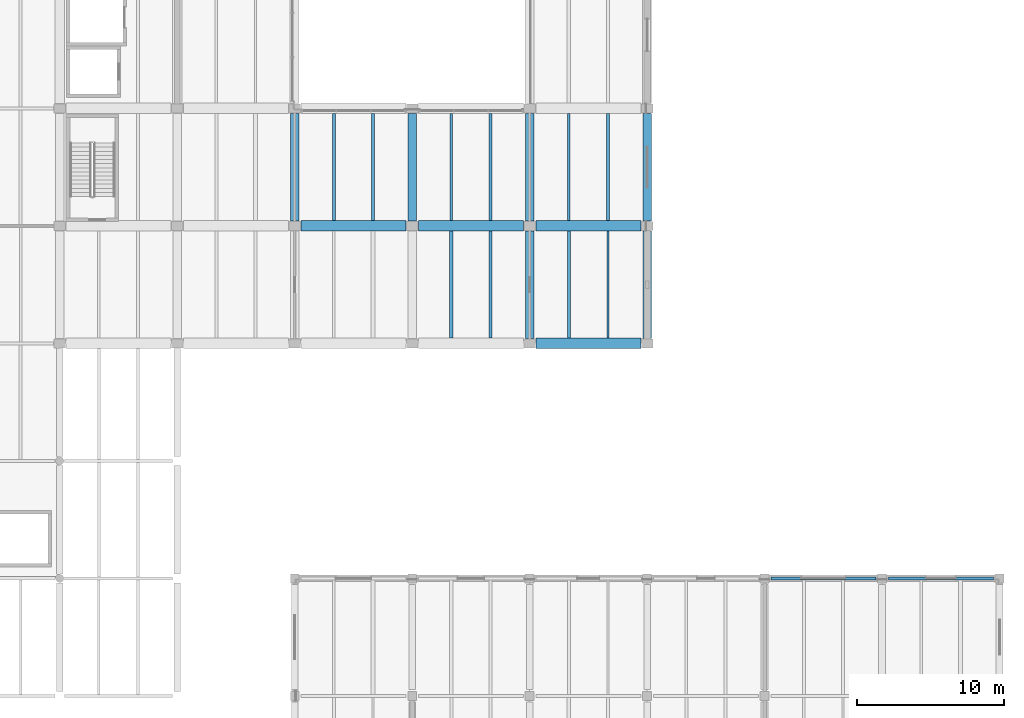
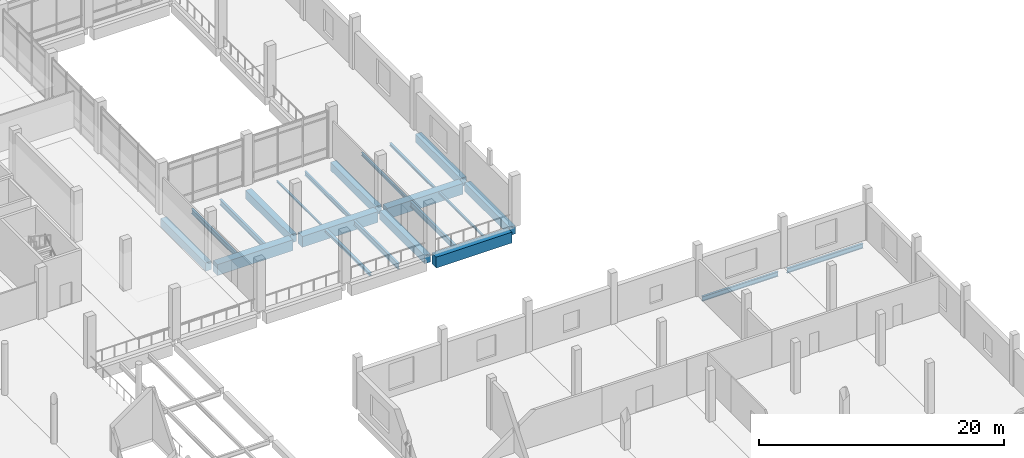
# One storey, part 22 of 61: 22 beams.
"""IFC4 building model written with IfcOpenShell, lengths in metres."""

from ifc_helpers import new_model, si_unit, direction, frame, origin, origin_2d, place, context, subcontext, project, spatial, rectangle, i_section, extrude, material, material_profile, profile_set, type_object, element, save


model = new_model("IFC4")

# Units and contexts
model_context = context("Model", 3, precision=1e-05, world=origin(), true_north=direction((0.0, 1.0)))
body_context = subcontext(model_context, "Body", "Model", "MODEL_VIEW")
ifc_project = project(units=[si_unit("LENGTHUNIT", "METRE"), si_unit("AREAUNIT", "SQUARE_METRE"), si_unit("VOLUMEUNIT", "CUBIC_METRE"), si_unit("PLANEANGLEUNIT", "RADIAN"), si_unit("MASSUNIT", "GRAM", prefix="KILO")], contexts=[model_context])

# Site, building, storey
site_placement = place(None, origin())
site = spatial("IfcSite", under=ifc_project, at=site_placement, CompositionType="ELEMENT")
building_placement = place(site_placement, origin())
building = spatial("IfcBuilding", under=site, at=building_placement, Name="Pecanmere Concourse Central Library", CompositionType="ELEMENT")
storey_placement = place(building_placement, frame((0.0, 0.0, 5.39990234375)))
storey = spatial("IfcBuildingStorey", under=building, at=storey_placement, Name="L02", CompositionType="ELEMENT", Elevation=5.39990234375)

# Beams
ifc_material_1 = material(Name="Concrete C40/50", Category="concrete")
ifc_material_profile_1 = material_profile(ifc_material_1, rectangle(XDim=0.56005859375, YDim=0.830078125, at=origin_2d()), Name="RC 560x830")
ifc_profile_set_1 = profile_set([ifc_material_profile_1], Name="Concrete C40/50")
beam_type_1 = type_object("IfcBeamType", Name="GRD_560x830", PredefinedType="USERDEFINED", material=ifc_profile_set_1)
for number, where, z_axis, x_axis, name in (
    (1, (128.0, 56.330078125, -0.784912109375), (0.0, 1.0, 0.0), (-1.0, 0.0, 0.0), "Primary Girder Y L02-1111"),
    (2, (136.0, 56.330078125, -0.784912109375), (0.0, 1.0, 0.0), (-1.0, 0.0, 0.0), "Primary Girder Y L02-1122"),
    (3, (144.0, 48.330078125, -0.784912109375), (0.0, 1.0, 0.0), (-1.0, 0.0, 0.0), "Primary Girder Y L02-1129"),
    (4, (144.0, 56.330078125, -0.784912109375), (0.0, 1.0, 0.0), (-1.0, 0.0, 0.0), "Primary Girder Y L02-1130"),
    (5, (152.0, 48.330078125, -0.784912109375), (0.0, 1.0, 0.0), (-1.0, 0.0, 0.0), "Primary Girder Y L02-1140"),
    (6, (152.0, 56.330078125, -0.784912109375), (0.0, 1.0, 0.0), (-1.0, 0.0, 0.0), "Primary Girder Y L02-1141"),
):
    element("IfcBeam", number, at=place(storey_placement, frame(where, z_axis=z_axis, x_axis=x_axis)), inside=storey, type_object=beam_type_1, Name=name, ObjectType="GIRDER", PredefinedType="USERDEFINED", context=body_context, shape_type="SweptSolid", body=[
        extrude(rectangle(XDim=0.56005859375, YDim=0.830078125, at=origin_2d()), origin(), (0.0, 0.0, 1.0), 7.33984375),
    ])
ifc_material_2 = material(Name="Concrete C40/50", Category="concrete")
ifc_material_profile_2 = material_profile(ifc_material_2, rectangle(XDim=0.719970703125, YDim=1.080078125, at=origin_2d()), Name="RC 720x1080")
ifc_profile_set_2 = profile_set([ifc_material_profile_2], Name="Concrete C40/50")
beam_type_2 = type_object("IfcBeamType", Name="GRD_720x1080", PredefinedType="USERDEFINED", material=ifc_profile_set_2)
for number, where, z_axis, x_axis, name in (
    (7, (144.429931640625, 48.0, -0.909912109375), (1.0, 0.0, 0.0), (0.0, 1.0, 0.0), "Primary Girder X L02-0852"),
    (8, (128.429931640625, 56.0, -0.909912109375), (1.0, 0.0, 0.0), (0.0, 1.0, 0.0), "Primary Girder X L02-0866"),
    (9, (136.429931640625, 56.0, -0.909912109375), (1.0, 0.0, 0.0), (0.0, 1.0, 0.0), "Primary Girder X L02-0867"),
    (10, (144.429931640625, 56.0, -0.909912109375), (1.0, 0.0, 0.0), (0.0, 1.0, 0.0), "Primary Girder X L02-0868"),
):
    element("IfcBeam", number, at=place(storey_placement, frame(where, z_axis=z_axis, x_axis=x_axis)), inside=storey, type_object=beam_type_2, Name=name, ObjectType="GIRDER", PredefinedType="USERDEFINED", context=body_context, shape_type="SweptSolid", body=[
        extrude(rectangle(XDim=0.719970703125, YDim=1.080078125, at=origin_2d()), origin(), (0.0, 0.0, 1.0), 7.14013671875),
    ])
ifc_material_3 = material(Name="Structural steel ASTM A992 Grade 50", Category="steel")
ifc_material_profile_3 = material_profile(ifc_material_3, i_section(OverallWidth=0.152099609375, OverallDepth=0.152099609375, WebThickness=0.005859375, FlangeThickness=0.006591796875, at=origin_2d()), Name="W150x22.5")
ifc_profile_set_3 = profile_set([ifc_material_profile_3], Name="Structural steel ASTM A992 Grade 50")
beam_type_3 = type_object("IfcBeamType", Name="SBM_W150x22", PredefinedType="LINTEL", material=ifc_profile_set_3)
beam_1_placement = place(storey_placement, frame((138.666748046875, 56.360107421875, -0.44580078125), z_axis=(0.0, 1.0, 0.0), x_axis=(-1.0, 0.0, 0.0)))
element("IfcBeam", 11, at=beam_1_placement, inside=storey, type_object=beam_type_3, Name="Secondary Floor Joist L02-1420", PredefinedType="LINTEL", context=body_context, shape_type="SweptSolid", body=[
    extrude(i_section(OverallWidth=0.152099609375, OverallDepth=0.152099609375, WebThickness=0.005859375, FlangeThickness=0.006591796875, at=origin_2d()), origin(), (0.0, 0.0, 1.0), 7.27978515625),
])
ifc_material_4 = material(Name="Structural steel ASTM A992 Grade 50", Category="steel")
ifc_material_profile_4 = material_profile(ifc_material_4, i_section(OverallWidth=0.1650390625, OverallDepth=0.200927734375, WebThickness=0.006103515625, FlangeThickness=0.01025390625, at=origin_2d()), Name="W200x35.9")
ifc_profile_set_4 = profile_set([ifc_material_profile_4], Name="Structural steel ASTM A992 Grade 50")
beam_type_4 = type_object("IfcBeamType", Name="SBM_W200x36", PredefinedType="LINTEL", material=ifc_profile_set_4)
beam_2_placement = place(storey_placement, frame((149.333251953125, 48.360107421875, -0.470458984375), z_axis=(0.0, 1.0, 0.0), x_axis=(-1.0, 0.0, 0.0)))
element("IfcBeam", 12, at=beam_2_placement, inside=storey, type_object=beam_type_4, Name="Secondary Floor Joist L02-1435", PredefinedType="LINTEL", context=body_context, shape_type="SweptSolid", body=[
    extrude(i_section(OverallWidth=0.1650390625, OverallDepth=0.200927734375, WebThickness=0.006103515625, FlangeThickness=0.01025390625, at=origin_2d()), origin(), (0.0, 0.0, 1.0), 7.27978515625),
])
ifc_material_5 = material(Name="Structural steel ASTM A992 Grade 50", Category="steel")
ifc_material_profile_5 = material_profile(ifc_material_5, i_section(OverallWidth=0.201904296875, OverallDepth=0.2470703125, WebThickness=0.00732421875, FlangeThickness=0.010986328125, at=origin_2d()), Name="W250x49.1")
ifc_profile_set_5 = profile_set([ifc_material_profile_5], Name="Structural steel ASTM A992 Grade 50")
beam_type_5 = type_object("IfcBeamType", Name="SBM_W250x49", PredefinedType="JOIST", material=ifc_profile_set_5)
beam_3_placement = place(storey_placement, frame((149.333251953125, 56.360107421875, -0.493408203125), z_axis=(0.0, 1.0, 0.0), x_axis=(-1.0, 0.0, 0.0)))
element("IfcBeam", 13, at=beam_3_placement, inside=storey, type_object=beam_type_5, Name="Secondary Floor Joist L02-1437", PredefinedType="JOIST", context=body_context, shape_type="SweptSolid", body=[
    extrude(i_section(OverallWidth=0.201904296875, OverallDepth=0.2470703125, WebThickness=0.00732421875, FlangeThickness=0.010986328125, at=origin_2d()), origin(), (0.0, 0.0, 1.0), 7.27978515625),
])
ifc_material_6 = material(Name="Structural steel ASTM A992 Grade 50", Category="steel")
ifc_material_profile_6 = material_profile(ifc_material_6, i_section(OverallWidth=0.25390625, OverallDepth=0.2529296875, WebThickness=0.008544921875, FlangeThickness=0.01416015625, at=origin_2d()), Name="W250x73")
ifc_profile_set_6 = profile_set([ifc_material_profile_6], Name="Structural steel ASTM A992 Grade 50")
beam_type_6 = type_object("IfcBeamType", Name="SBM_W250x73", PredefinedType="BEAM", material=ifc_profile_set_6)
beam_4_placement = place(storey_placement, frame((138.666748046875, 48.360107421875, -0.496337890625), z_axis=(0.0, 1.0, 0.0), x_axis=(-1.0, 0.0, 0.0)))
element("IfcBeam", 14, at=beam_4_placement, inside=storey, type_object=beam_type_6, Name="Secondary Floor Joist L02-1418", PredefinedType="BEAM", context=body_context, shape_type="SweptSolid", body=[
    extrude(i_section(OverallWidth=0.25390625, OverallDepth=0.2529296875, WebThickness=0.008544921875, FlangeThickness=0.01416015625, at=origin_2d()), origin(), (0.0, 0.0, 1.0), 7.27978515625),
])
ifc_material_7 = material(Name="Structural steel ASTM A992 Grade 50", Category="steel")
ifc_material_profile_7 = material_profile(ifc_material_7, i_section(OverallWidth=0.1669921875, OverallDepth=0.31689453125, WebThickness=0.007568359375, FlangeThickness=0.01318359375, at=origin_2d()), Name="W310x52")
ifc_profile_set_7 = profile_set([ifc_material_profile_7], Name="Structural steel ASTM A992 Grade 50")
beam_type_7 = type_object("IfcBeamType", Name="SBM_W310x52", PredefinedType="JOIST", material=ifc_profile_set_7)
beam_5_placement = place(storey_placement, frame((146.666748046875, 56.360107421875, -0.5283203125), z_axis=(0.0, 1.0, 0.0), x_axis=(-1.0, 0.0, 0.0)))
element("IfcBeam", 15, at=beam_5_placement, inside=storey, type_object=beam_type_7, Name="Secondary Floor Joist L02-1436", PredefinedType="JOIST", context=body_context, shape_type="SweptSolid", body=[
    extrude(i_section(OverallWidth=0.1669921875, OverallDepth=0.31689453125, WebThickness=0.007568359375, FlangeThickness=0.01318359375, at=origin_2d()), origin(), (0.0, 0.0, 1.0), 7.27978515625),
])
ifc_material_8 = material(Name="Structural steel ASTM A992 Grade 50", Category="steel")
ifc_material_profile_8 = material_profile(ifc_material_8, i_section(OverallWidth=0.177978515625, OverallDepth=0.406982421875, WebThickness=0.0078125, FlangeThickness=0.0126953125, at=origin_2d()), Name="W410x60")
ifc_profile_set_8 = profile_set([ifc_material_profile_8], Name="Structural steel ASTM A992 Grade 50")
beam_type_8 = type_object("IfcBeamType", Name="SBM_W410x60", PredefinedType="JOIST", material=ifc_profile_set_8)
beam_6_placement = place(storey_placement, frame((141.333251953125, 56.360107421875, -0.573486328125), z_axis=(0.0, 1.0, 0.0), x_axis=(-1.0, 0.0, 0.0)))
element("IfcBeam", 16, at=beam_6_placement, inside=storey, type_object=beam_type_8, Name="Secondary Floor Joist L02-1421", PredefinedType="JOIST", context=body_context, shape_type="SweptSolid", body=[
    extrude(i_section(OverallWidth=0.177978515625, OverallDepth=0.406982421875, WebThickness=0.0078125, FlangeThickness=0.0126953125, at=origin_2d()), origin(), (0.0, 0.0, 1.0), 7.27978515625),
])
ifc_material_9 = material(Name="Structural steel ASTM A992 Grade 50", Category="steel")
ifc_material_profile_9 = material_profile(ifc_material_9, i_section(OverallWidth=0.194091796875, OverallDepth=0.468994140625, WebThickness=0.0126953125, FlangeThickness=0.0205078125, at=origin_2d()), Name="W460x106")
ifc_profile_set_9 = profile_set([ifc_material_profile_9], Name="Structural steel ASTM A992 Grade 50")
beam_type_9 = type_object("IfcBeamType", Name="SBM_W460x106", PredefinedType="USERDEFINED", material=ifc_profile_set_9)
for number, where, z_axis, x_axis, name in (
    (17, (160.419921875, 32.0, -0.6044921875), (1.0, 0.0, 0.0), (0.0, 1.0, 0.0), "Primary Girder X L02-0828"),
    (18, (168.419921875, 32.0, -0.6044921875), (1.0, 0.0, 0.0), (0.0, 1.0, 0.0), "Primary Girder X L02-0829"),
):
    element("IfcBeam", number, at=place(storey_placement, frame(where, z_axis=z_axis, x_axis=x_axis)), inside=storey, type_object=beam_type_9, Name=name, ObjectType="GIRDER", PredefinedType="USERDEFINED", context=body_context, shape_type="SweptSolid", body=[
        extrude(i_section(OverallWidth=0.194091796875, OverallDepth=0.468994140625, WebThickness=0.0126953125, FlangeThickness=0.0205078125, at=origin_2d()), origin(), (0.0, 0.0, 1.0), 7.16015625),
    ])
beam_7_placement = place(storey_placement, frame((130.666748046875, 56.360107421875, -0.6044921875), z_axis=(0.0, 1.0, 0.0), x_axis=(-1.0, 0.0, 0.0)))
element("IfcBeam", 19, at=beam_7_placement, inside=storey, type_object=beam_type_9, Name="Secondary Floor Joist L02-1404", ObjectType="GIRDER", PredefinedType="USERDEFINED", context=body_context, shape_type="SweptSolid", body=[
    extrude(i_section(OverallWidth=0.194091796875, OverallDepth=0.468994140625, WebThickness=0.0126953125, FlangeThickness=0.0205078125, at=origin_2d()), origin(), (0.0, 0.0, 1.0), 7.27978515625),
])
ifc_material_10 = material(Name="Structural steel ASTM A992 Grade 50", Category="steel")
ifc_material_profile_10 = material_profile(ifc_material_10, i_section(OverallWidth=0.2109375, OverallDepth=0.5390625, WebThickness=0.01171875, FlangeThickness=0.018798828125, at=origin_2d()), Name="W530x109")
ifc_profile_set_10 = profile_set([ifc_material_profile_10], Name="Structural steel ASTM A992 Grade 50")
beam_type_10 = type_object("IfcBeamType", Name="SBM_W530x109", PredefinedType="USERDEFINED", material=ifc_profile_set_10)
for number, where, z_axis, x_axis, name in (
    (20, (133.333251953125, 56.360107421875, -0.639404296875), (0.0, 1.0, 0.0), (-1.0, 0.0, 0.0), "Secondary Floor Joist L02-1405"),
    (21, (146.666748046875, 48.360107421875, -0.639404296875), (0.0, 1.0, 0.0), (-1.0, 0.0, 0.0), "Secondary Floor Joist L02-1434"),
):
    element("IfcBeam", number, at=place(storey_placement, frame(where, z_axis=z_axis, x_axis=x_axis)), inside=storey, type_object=beam_type_10, Name=name, ObjectType="GIRDER", PredefinedType="USERDEFINED", context=body_context, shape_type="SweptSolid", body=[
        extrude(i_section(OverallWidth=0.2109375, OverallDepth=0.5390625, WebThickness=0.01171875, FlangeThickness=0.018798828125, at=origin_2d()), origin(), (0.0, 0.0, 1.0), 7.27978515625),
    ])
ifc_material_11 = material(Name="Structural steel ASTM A992 Grade 50", Category="steel")
ifc_material_profile_11 = material_profile(ifc_material_11, i_section(OverallWidth=0.208984375, OverallDepth=0.532958984375, WebThickness=0.01025390625, FlangeThickness=0.015625, at=origin_2d()), Name="W530x92")
ifc_profile_set_11 = profile_set([ifc_material_profile_11], Name="Structural steel ASTM A992 Grade 50")
beam_type_11 = type_object("IfcBeamType", Name="SBM_W530x92", PredefinedType="BEAM", material=ifc_profile_set_11)
beam_8_placement = place(storey_placement, frame((141.333251953125, 48.360107421875, -0.636474609375), z_axis=(0.0, 1.0, 0.0), x_axis=(-1.0, 0.0, 0.0)))
element("IfcBeam", 22, at=beam_8_placement, inside=storey, type_object=beam_type_11, Name="Secondary Floor Joist L02-1419", PredefinedType="BEAM", context=body_context, shape_type="SweptSolid", body=[
    extrude(i_section(OverallWidth=0.208984375, OverallDepth=0.532958984375, WebThickness=0.01025390625, FlangeThickness=0.015625, at=origin_2d()), origin(), (0.0, 0.0, 1.0), 7.27978515625),
])

save(model, "model.ifc")
